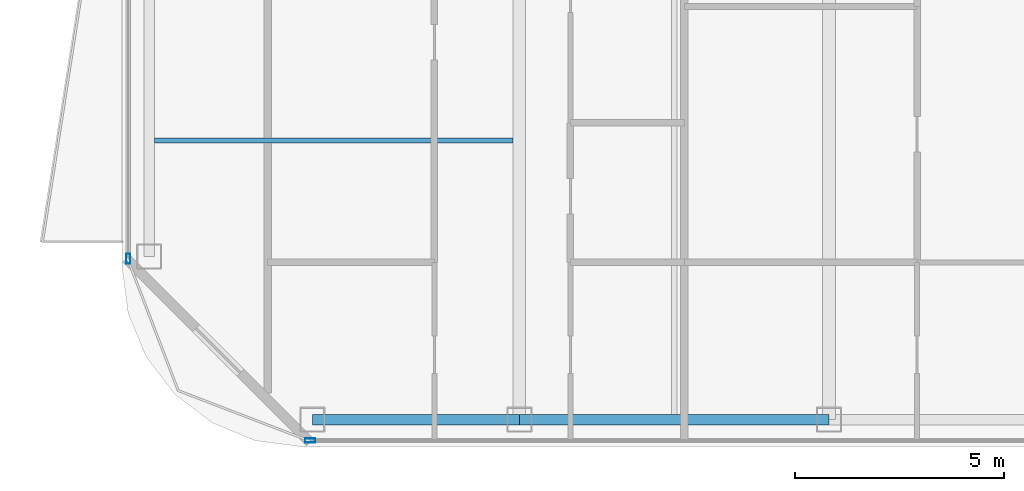
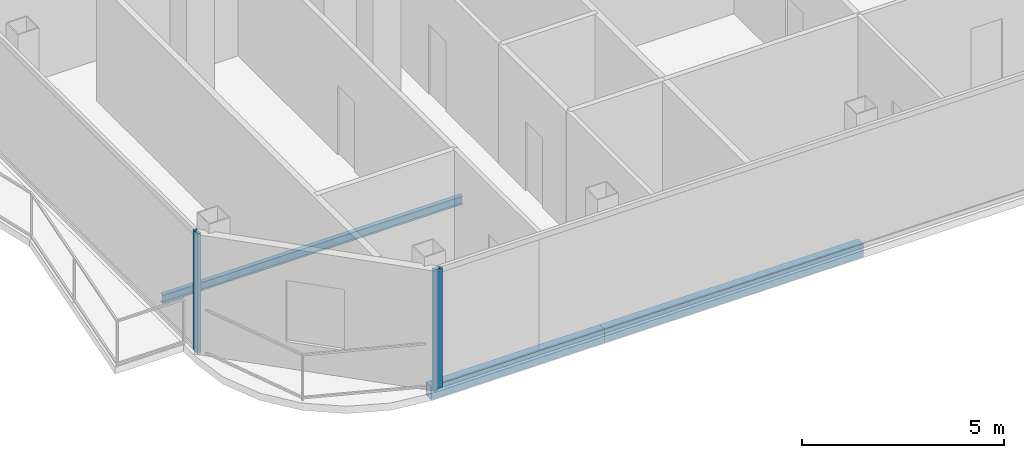
# One storey, part 2 of 23: 3 beams, 2 members, 2 elements without a shape of their own.
"""IFC4 building model written with IfcOpenShell, lengths in metres."""

from ifc_helpers import new_model, si_unit, direction, frame, origin, origin_2d, place, context, subcontext, project, spatial, hollow_rectangle, i_section, extrude, material, layer, layer_set, material_profile, profile_set, type_object, element, aggregate, save


model = new_model("IFC4")

# Units and contexts
model_context = context("Model", 3, precision=1e-05, world=origin(), true_north=direction((0.0, 1.0)))
body_context = subcontext(model_context, "Body", "Model", "MODEL_VIEW")
ifc_project = project(units=[si_unit("LENGTHUNIT", "METRE"), si_unit("AREAUNIT", "SQUARE_METRE"), si_unit("VOLUMEUNIT", "CUBIC_METRE"), si_unit("PLANEANGLEUNIT", "RADIAN"), si_unit("MASSUNIT", "GRAM", prefix="KILO")], contexts=[model_context])

# Site, building, storey
site_placement = place(None, origin())
site = spatial("IfcSite", under=ifc_project, at=site_placement, CompositionType="ELEMENT")
building_placement = place(site_placement, origin())
building = spatial("IfcBuilding", under=site, at=building_placement, Name="Khorvyn Point Tower", CompositionType="ELEMENT")
storey_placement = place(building_placement, frame((0.0, 0.0, 207.0)))
storey = spatial("IfcBuildingStorey", under=building, at=storey_placement, Name="L51", CompositionType="ELEMENT", Elevation=207.0)

# Curtain wall, member
ifc_material_1 = material(Name="Anodised aluminium 6063-T6 and laminated Low-E glass", Category="aluminium")
ifc_layer = layer(ifc_material_1, 0.18994140625)
ifc_layer_set = layer_set([ifc_layer], Name="Stick-Built Acoustic Curtain Wall CW-SYS-03")
curtain_wall_type = type_object("IfcCurtainWallType", Name="Stick-Built Acoustic Curtain Wall CW-SYS-03", PredefinedType="NOTDEFINED", material=ifc_layer_set)
curtain_wall_1_placement = place(storey_placement, origin())
curtain_wall_1 = element("IfcCurtainWall", 1, at=curtain_wall_1_placement, inside=storey, type_object=curtain_wall_type, Name="Curtain Wall", PredefinedType="NOTDEFINED")
ifc_material_2 = material(Name="Anodised aluminium 6063-T6", Category="aluminium")
ifc_material_profile_1 = material_profile(ifc_material_2, hollow_rectangle(XDim=0.10009765625, YDim=0.239990234375, WallThickness=0.0048828125, at=origin_2d()))
ifc_profile_set_1 = profile_set([ifc_material_profile_1], Name="Anodised aluminium 6063-T6 ALU-MUL-100x240")
member_type = type_object("IfcMemberType", Name="Anodised Aluminium 6063-T6 Mullion ALU-MUL-100x240", PredefinedType="MULLION", material=ifc_profile_set_1)
member_1_placement = place(storey_placement, frame((-19.800048828125, -28.64990234375, 0.0), z_axis=(0.0, 0.0, 1.0), x_axis=(0.0, -1.0, 0.0)))
member_1 = element("IfcMember", 2, at=member_1_placement, type_object=member_type, Name="Transom", PredefinedType="MULLION", context=body_context, shape_type="SweptSolid", body=[
    extrude(hollow_rectangle(XDim=0.10009765625, YDim=0.239990234375, WallThickness=0.0048828125, at=origin_2d()), origin(), (0.0, 0.0, 1.0), 3.6201171875),
])
aggregate(curtain_wall_1, [member_1])

curtain_wall_2_placement = place(storey_placement, origin())
curtain_wall_2 = element("IfcCurtainWall", 3, at=curtain_wall_2_placement, inside=storey, type_object=curtain_wall_type, Name="Curtain Wall", PredefinedType="NOTDEFINED")
member_2_placement = place(storey_placement, frame((-24.14990234375, -24.300048828125, 0.0), z_axis=(0.0, 0.0, 1.0), x_axis=(-1.0, 0.0, 0.0)))
member_2 = element("IfcMember", 4, at=member_2_placement, type_object=member_type, Name="Transom", PredefinedType="MULLION", context=body_context, shape_type="SweptSolid", body=[
    extrude(hollow_rectangle(XDim=0.10009765625, YDim=0.239990234375, WallThickness=0.0048828125, at=origin_2d()), origin(), (0.0, 0.0, 1.0), 3.6201171875),
])
aggregate(curtain_wall_2, [member_2])

# Beams
ifc_material_3 = material(Name="Steel S355", Category="steel")
ifc_material_profile_2 = material_profile(ifc_material_3, i_section(OverallWidth=0.125, OverallDepth=0.25, WebThickness=0.006103515625, FlangeThickness=0.009033203125, at=origin_2d()))
ifc_profile_set_2 = profile_set([ifc_material_profile_2], Name="Steel S355 H250x125x6x9")
beam_type_1 = type_object("IfcBeamType", Name="Steel S355 Joist H250x125x6x9", PredefinedType="JOIST", material=ifc_profile_set_2)
beam_1_placement = place(storey_placement, frame((-23.52490234375, -21.47509765625, -0.344970703125), z_axis=(1.0, 0.0, 0.0), x_axis=(0.0, 1.0, 0.0)))
element("IfcBeam", 5, at=beam_1_placement, inside=storey, type_object=beam_type_1, Name="Beam", PredefinedType="JOIST", context=body_context, shape_type="SweptSolid", body=[
    extrude(i_section(OverallWidth=0.125, OverallDepth=0.25, WebThickness=0.006103515625, FlangeThickness=0.009033203125, at=origin_2d()), origin(), (0.0, 0.0, 1.0), 8.574951171875),
])
ifc_material_profile_3 = material_profile(ifc_material_3, hollow_rectangle(XDim=0.25, YDim=0.39990234375, WallThickness=0.01611328125, at=origin_2d()))
ifc_profile_set_3 = profile_set([ifc_material_profile_3], Name="Steel S355 RHS400x250x16")
beam_type_2 = type_object("IfcBeamType", Name="Steel S355 Spandrel RHS400x250x16", PredefinedType="SPANDREL", material=ifc_profile_set_3)
beam_2_placement = place(storey_placement, frame((-19.75, -28.14990234375, -0.419921875), z_axis=(1.0, 0.0, 0.0), x_axis=(0.0, 1.0, 0.0)))
element("IfcBeam", 6, at=beam_2_placement, inside=storey, type_object=beam_type_2, Name="Beam", PredefinedType="SPANDREL", context=body_context, shape_type="SweptSolid", body=[
    extrude(hollow_rectangle(XDim=0.25, YDim=0.39990234375, WallThickness=0.01611328125, at=origin_2d()), origin(), (0.0, 0.0, 1.0), 4.949951171875),
])
beam_3_placement = place(storey_placement, frame((-14.800048828125, -28.14990234375, -0.419921875), z_axis=(1.0, 0.0, 0.0), x_axis=(0.0, 1.0, 0.0)))
element("IfcBeam", 7, at=beam_3_placement, inside=storey, type_object=beam_type_2, Name="Beam", PredefinedType="SPANDREL", context=body_context, shape_type="SweptSolid", body=[
    extrude(hollow_rectangle(XDim=0.25, YDim=0.39990234375, WallThickness=0.01611328125, at=origin_2d()), origin(), (0.0, 0.0, 1.0), 7.400146484375),
])

save(model, "model.ifc")
